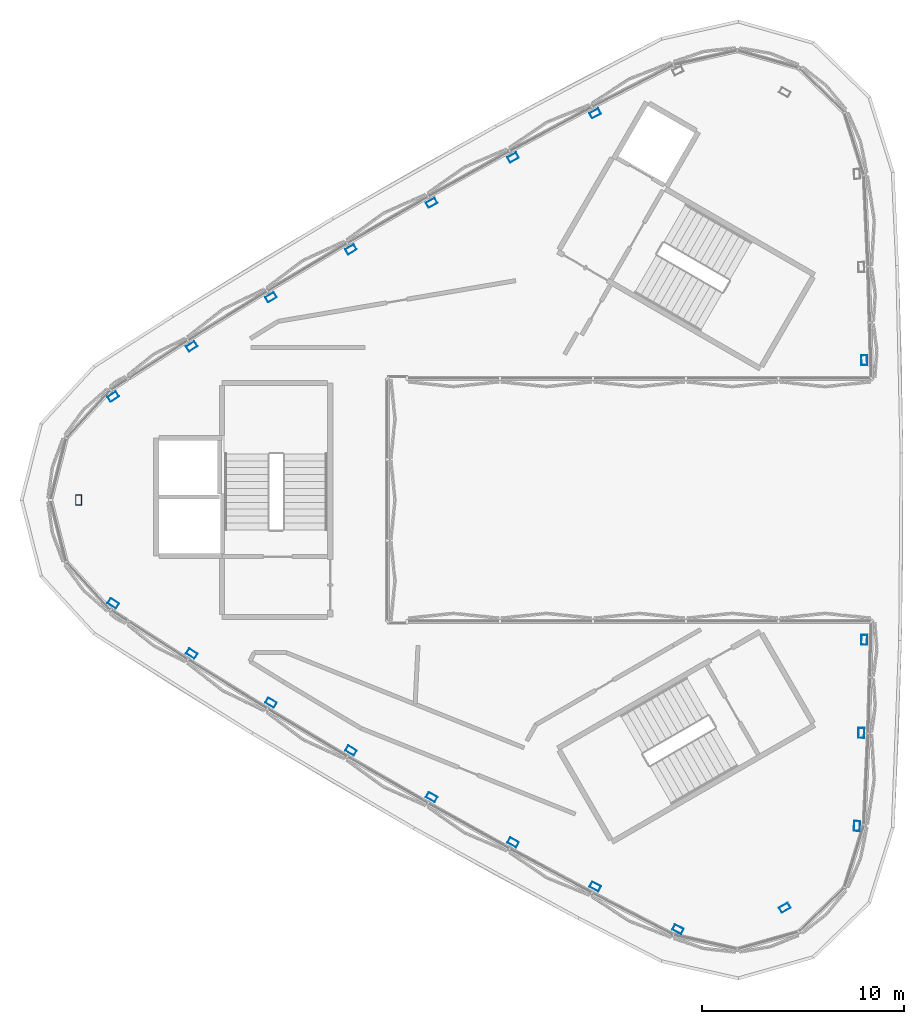
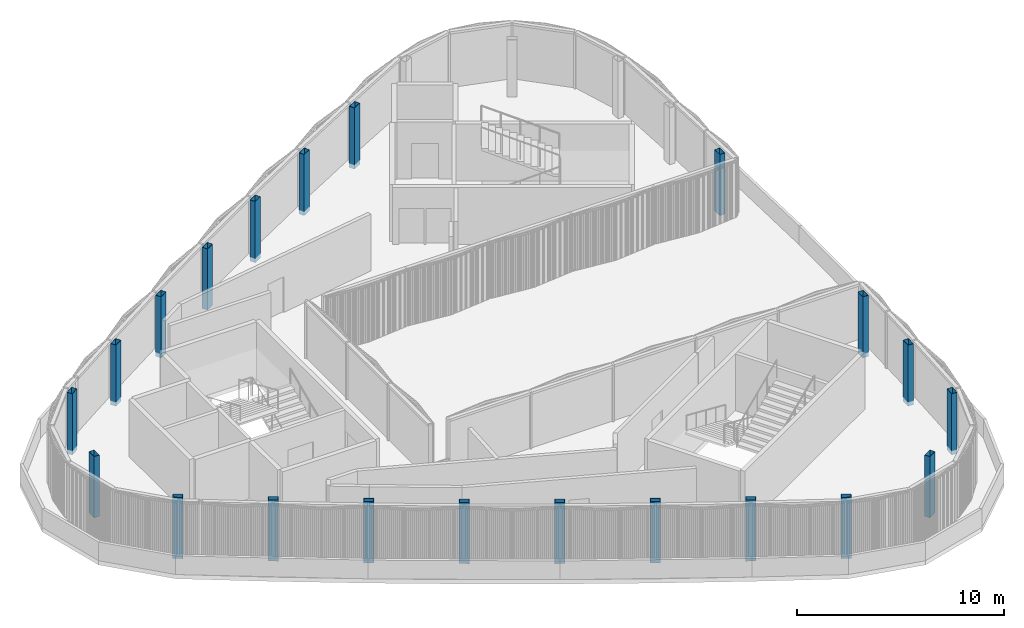
# One storey, part 1 of 16: 21 columns.
"""IFC4 building model written with IfcOpenShell, lengths in metres."""

from ifc_helpers import new_model, si_unit, direction, frame, origin, origin_2d, place, context, subcontext, project, spatial, hollow_rectangle, extrude, material, material_profile, profile_set, type_object, element, save


model = new_model("IFC4")

# Units and contexts
model_context = context("Model", 3, precision=1e-05, world=origin(), true_north=direction((0.0, 1.0)))
body_context = subcontext(model_context, "Body", "Model", "MODEL_VIEW")
ifc_project = project(units=[si_unit("LENGTHUNIT", "METRE"), si_unit("AREAUNIT", "SQUARE_METRE"), si_unit("VOLUMEUNIT", "CUBIC_METRE"), si_unit("PLANEANGLEUNIT", "RADIAN"), si_unit("MASSUNIT", "GRAM", prefix="KILO")], contexts=[model_context])

# Site, building, storey
site_placement = place(None, origin())
site = spatial("IfcSite", under=ifc_project, at=site_placement, CompositionType="ELEMENT")
building_placement = place(site_placement, origin())
building = spatial("IfcBuilding", under=site, at=building_placement, Name="Tamra Quay Hotel Tower", CompositionType="ELEMENT")
storey_placement = place(building_placement, frame((0.0, 0.0, 320.60009765625)))
storey = spatial("IfcBuildingStorey", under=building, at=storey_placement, Name="Roof crown 1", CompositionType="ELEMENT", Elevation=320.60009765625)

# Columns
ifc_material = material(Name="Structural steel IS 2062 E350", Category="steel")
ifc_material_profile = material_profile(ifc_material, hollow_rectangle(XDim=0.300048828125, YDim=0.5, WallThickness=0.01611328125, at=origin_2d()), Name="RHS 500x300x16")
ifc_profile_set = profile_set([ifc_material_profile], Name="Structural steel IS 2062 E350")
column_type = type_object("IfcColumnType", Name="CROWN FRAME POST RHS 500x300x16", PredefinedType="COLUMN", material=ifc_profile_set)
for number, where, z_axis, x_axis, name in (
    (1, (-13.765380859375, 10.022216796875, -0.25), (0.0, 0.0, 1.0), (-0.520430007934, 0.8539043312, 0.0), "CF-A-C6NW06-Roofcrown1"),
    (2, (-17.681396484375, 7.594970703125, -0.25), (0.0, 0.0, 1.0), (-0.533133229604, 0.846031299357, 0.0), "CF-A-C6NW07-Roofcrown1"),
    (3, (15.56201171875, 6.909912109375, -0.25), (0.0, 0.0, 1.0), (0.999717847188, 0.023753442163, 0.0), "CF-A-C6E06-Roofcrown1"),
    (4, (2.26318359375, 19.110107421875, -0.25), (0.0, 0.0, 1.0), (-0.466117982839, 0.884722570117, 0.0), "CF-A-C6NW02-Roofcrown1"),
    (5, (-1.796875, 16.93212890625, -0.25), (0.0, 0.0, 1.0), (-0.479287839253, 0.877657773363, 0.0), "CF-A-C6NW03-Roofcrown1"),
    (6, (-5.822265625, 14.69140625, -0.25), (0.0, 0.0, 1.0), (-0.493125204396, 0.869958351181, 0.0), "CF-A-C6NW04-Roofcrown1"),
    (7, (-9.81201171875, 12.3876953125, -0.25), (0.0, 0.0, 1.0), (-0.506843430159, 0.862038129844, 0.0), "CF-A-C6NW05-Roofcrown1"),
    (8, (-9.81201171875, -12.3876953125, -0.25), (0.0, 0.0, 1.0), (0.506843430159, 0.862038129844, 0.0), "CF-B-C6SW04-Roofcrown1"),
    (9, (-5.822265625, -14.69140625, -0.25), (0.0, 0.0, 1.0), (0.493125204396, 0.869958351181, 0.0), "CF-B-C6SW05-Roofcrown1"),
    (10, (-1.796875, -16.93212890625, -0.25), (0.0, 0.0, 1.0), (0.479287839253, 0.877657773363, 0.0), "CF-B-C6SW06-Roofcrown1"),
    (11, (2.26318359375, -19.110107421875, -0.25), (0.0, 0.0, 1.0), (0.466117982839, 0.884722570117, 0.0), "CF-B-C6SW07-Roofcrown1"),
    (12, (6.3564453125, -21.22412109375, -0.25), (0.0, 0.0, 1.0), (0.451685882938, 0.89217703577, 0.0), "CF-B-C6SW08-Roofcrown1"),
    (13, (11.63671875, -20.1552734375, -0.25), (0.0, 0.0, 1.0), (-0.5, 0.866025403784, 0.0), "CF-B-M6SE-Roofcrown1"),
    (14, (15.202392578125, -16.116943359375, -0.25), (0.0, 0.0, 1.0), (-0.998490919119, 0.05491706873, 0.0), "CF-B-C6E01-Roofcrown1"),
    (15, (15.418212890625, -11.51513671875, -0.25), (0.0, 0.0, 1.0), (-0.999251212442, 0.03869127076, 0.0), "CF-B-C6E02-Roofcrown1"),
    (16, (15.56201171875, -6.909912109375, -0.25), (0.0, 0.0, 1.0), (-0.999717847188, 0.023753442163, 0.0), "CF-B-C6E03-Roofcrown1"),
    (17, (-17.681396484375, -7.594970703125, -0.25), (0.0, 0.0, 1.0), (0.533133229604, 0.846031299357, 0.0), "CF-B-C6SW02-Roofcrown1"),
    (18, (-13.765380859375, -10.022216796875, -0.25), (0.0, 0.0, 1.0), (0.520430007934, 0.8539043312, 0.0), "CF-B-C6SW03-Roofcrown1"),
    (19, (-21.558837890625, -5.107421875, -0.25), (0.0, 0.0, 1.0), (0.546805036181, 0.83725996704, 0.0), "CF-C-C6SW01-Roofcrown1"),
    (20, (-21.558837890625, 5.107421875, -0.25), (0.0, 0.0, 1.0), (-0.546805036181, 0.83725996704, 0.0), "CF-C-C6NW08-Roofcrown1"),
    (21, (-23.2734375, 0.0, -0.25), (0.0, 0.0, 1.0), (1.0, 0.0, 0.0), "CF-C-M6W-Roofcrown1"),
):
    element("IfcColumn", number, at=place(storey_placement, frame(where, z_axis=z_axis, x_axis=x_axis)), inside=storey, type_object=column_type, Name=name, PredefinedType="COLUMN", context=body_context, shape_type="SweptSolid", body=[
        extrude(hollow_rectangle(XDim=0.300048828125, YDim=0.5, WallThickness=0.01611328125, at=origin_2d()), origin(), (0.0, 0.0, 1.0), 3.599853515625),
    ])

save(model, "model.ifc")
